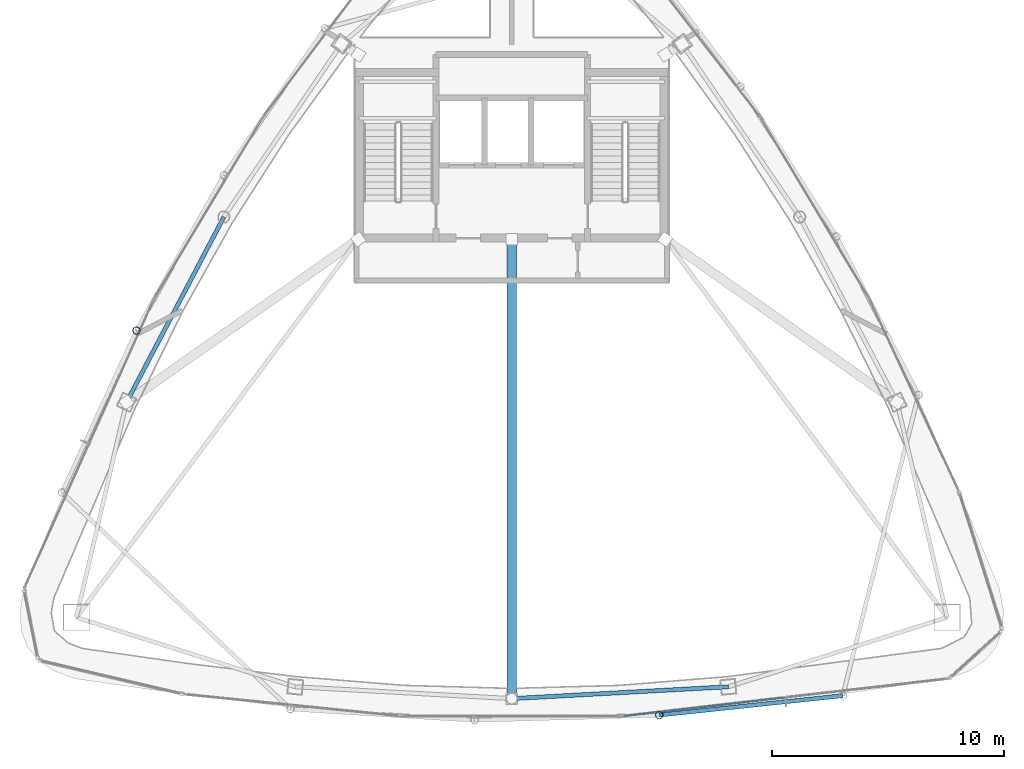
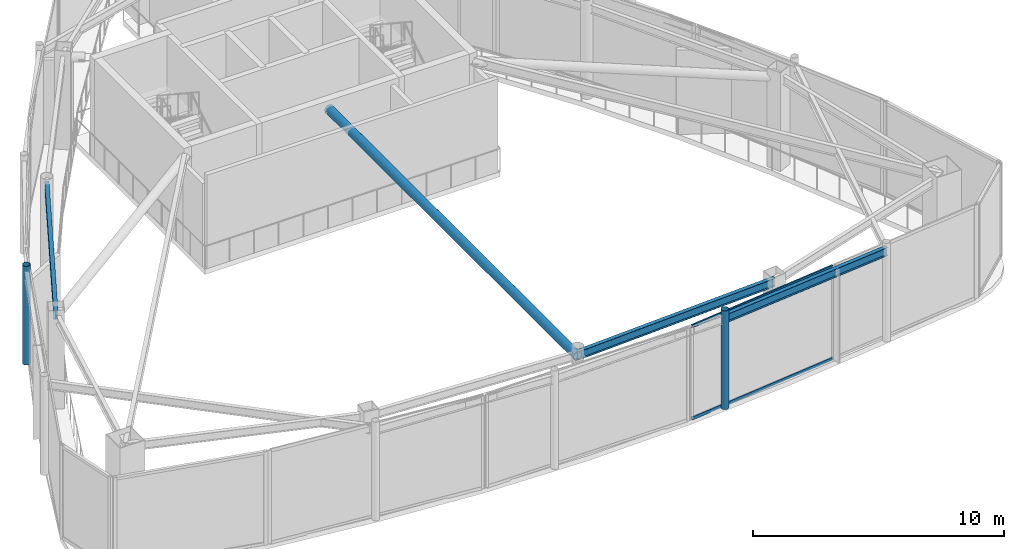
# One storey, part 7 of 20: 5 members, 3 beams, 1 element without a shape of its own.
"""IFC4 building model written with IfcOpenShell, lengths in metres."""

from ifc_helpers import new_model, si_unit, direction, frame, origin, origin_2d, place, context, subcontext, project, spatial, hollow_rectangle, hollow_circle, i_section, extrude, material, layer, layer_set, material_profile, profile_set, type_object, element, aggregate, save


model = new_model("IFC4")

# Units and contexts
model_context = context("Model", 3, precision=1e-05, world=origin(), true_north=direction((0.0, 1.0)))
body_context = subcontext(model_context, "Body", "Model", "MODEL_VIEW")
ifc_project = project(units=[si_unit("LENGTHUNIT", "METRE"), si_unit("AREAUNIT", "SQUARE_METRE"), si_unit("VOLUMEUNIT", "CUBIC_METRE"), si_unit("PLANEANGLEUNIT", "RADIAN"), si_unit("MASSUNIT", "GRAM", prefix="KILO")], contexts=[model_context])

# Site, building, storey
site_placement = place(None, origin())
site = spatial("IfcSite", under=ifc_project, at=site_placement, CompositionType="ELEMENT")
building_placement = place(site_placement, origin())
building = spatial("IfcBuilding", under=site, at=building_placement, Name="Orvanel Arch Residences", CompositionType="ELEMENT")
storey_placement = place(building_placement, frame((0.0, 0.0, 305.300048828125)))
storey = spatial("IfcBuildingStorey", under=building, at=storey_placement, Name="L85", CompositionType="ELEMENT", Elevation=305.300048828125)

# Beams
ifc_material_1 = material(Name="Structural steel AS/NZS 3679.1 Grade 300 (300 MPa)", Category="steel")
ifc_material_profile_1 = material_profile(ifc_material_1, i_section(OverallWidth=0.177978515625, OverallDepth=0.406005859375, WebThickness=0.0078125, FlangeThickness=0.0126953125, at=origin_2d()), Name="410UB59.7")
ifc_profile_set_1 = profile_set([ifc_material_profile_1], Name="Structural steel AS/NZS 3679.1 Grade 300 (300 MPa)")
beam_type_1 = type_object("IfcBeamType", Name="OB-410UB", PredefinedType="SPANDREL", material=ifc_profile_set_1)
beam_1_placement = place(storey_placement, frame((33.0, 6.843994140625, 4.346923828125), z_axis=(0.998510315598, 0.054563262768, 0.0), x_axis=(-0.054563262768, 0.998510315598, 0.0)))
element("IfcBeam", 1, at=beam_1_placement, inside=storey, type_object=beam_type_1, Name="L85 Perimeter Spandrel Beam 04", PredefinedType="SPANDREL", context=body_context, shape_type="SweptSolid", body=[
    extrude(i_section(OverallWidth=0.177978515625, OverallDepth=0.406005859375, WebThickness=0.0078125, FlangeThickness=0.0126953125, at=origin_2d()), origin(), (0.0, 0.0, 1.0), 9.364990234375),
])
beam_2_placement = place(storey_placement, frame((20.569091796875, 27.64111328125, 4.346923828125), z_axis=(-0.465064762793, -0.885276660942, 0.0), x_axis=(0.885276660942, -0.465064762793, 0.0)))
element("IfcBeam", 2, at=beam_2_placement, inside=storey, type_object=beam_type_1, Name="L85 Perimeter Spandrel Beam 12", PredefinedType="SPANDREL", context=body_context, shape_type="SweptSolid", body=[
    extrude(i_section(OverallWidth=0.177978515625, OverallDepth=0.406005859375, WebThickness=0.0078125, FlangeThickness=0.0126953125, at=origin_2d()), origin(), (0.0, 0.0, 1.0), 9.03564453125),
])
ifc_material_profile_2 = material_profile(ifc_material_1, i_section(OverallWidth=0.177978515625, OverallDepth=0.406005859375, WebThickness=0.0078125, FlangeThickness=0.0126953125, at=origin_2d()), Name="410UB59.7")
ifc_profile_set_2 = profile_set([ifc_material_profile_2], Name="Structural steel AS/NZS 3679.1 Grade 300 (300 MPa)")
beam_type_2 = type_object("IfcBeamType", Name="OB-410UB-EXT", PredefinedType="SPANDREL", material=ifc_profile_set_2)
beam_3_placement = place(storey_placement, frame((39.366943359375, 6.131103515625, 4.346923828125), z_axis=(0.994445876363, 0.1052492232, 0.0), x_axis=(-0.1052492232, 0.994445876363, 0.0)))
element("IfcBeam", 3, at=beam_3_placement, inside=storey, type_object=beam_type_2, Name="L85 Outer Perimeter Floor Ring Beam 07", PredefinedType="SPANDREL", context=body_context, shape_type="SweptSolid", body=[
    extrude(i_section(OverallWidth=0.177978515625, OverallDepth=0.406005859375, WebThickness=0.0078125, FlangeThickness=0.0126953125, at=origin_2d()), origin(), (0.0, 0.0, 1.0), 7.97021484375),
])

# Members
ifc_material_2 = material(Name="Structural steel AS/NZS 1163 C350L0 (Grade 350)", Category="steel")
ifc_material_profile_3 = material_profile(ifc_material_2, hollow_circle(Radius=0.202880859375, WallThickness=0.01611328125, at=origin_2d()), Name="CHS406x16")
ifc_profile_set_3 = profile_set([ifc_material_profile_3], Name="Structural steel AS/NZS 1163 C350L0 (Grade 350)")
member_type_1 = type_object("IfcMemberType", Name="RF-406CHS", PredefinedType="RAFTER", material=ifc_profile_set_3)
member_1_placement = place(storey_placement, frame((33.0, 26.675048828125, 4.300048828125), z_axis=(0.0, -1.0, 0.0), x_axis=(1.0, 0.0, 0.0)))
element("IfcMember", 4, at=member_1_placement, inside=storey, type_object=member_type_1, Name="L85 Winter-Garden Conservatory Gallery Rafter 05", PredefinedType="RAFTER", context=body_context, shape_type="SweptSolid", body=[
    extrude(hollow_circle(Radius=0.202880859375, WallThickness=0.01611328125, at=origin_2d()), origin(), (0.0, 0.0, 1.0), 19.8310546875),
])
ifc_material_profile_4 = material_profile(ifc_material_2, hollow_circle(Radius=0.162109375, WallThickness=0.0126953125, at=origin_2d()), Name="CHS324x12.7")
ifc_profile_set_4 = profile_set([ifc_material_profile_4], Name="Structural steel AS/NZS 1163 C350L0 (Grade 350)")
member_type_2 = type_object("IfcMemberType", Name="ST-324CHS-EXT", PredefinedType="STRUT", material=ifc_profile_set_4)
for number, where, z_axis, x_axis, name in (
    (5, (16.794921875, 22.73388671875, 0.0), (0.0, 0.0, 1.0), (1.0, 0.0, 0.0), "L85 Outer Perimeter Frame Post 03"),
    (6, (39.366943359375, 6.131103515625, 0.0), (0.0, 0.0, 1.0), (1.0, 0.0, 0.0), "L85 Outer Perimeter Frame Post 07"),
):
    element("IfcMember", number, at=place(storey_placement, frame(where, z_axis=z_axis, x_axis=x_axis)), inside=storey, type_object=member_type_2, Name=name, PredefinedType="STRUT", context=body_context, shape_type="SweptSolid", body=[
        extrude(hollow_circle(Radius=0.162109375, WallThickness=0.0126953125, at=origin_2d()), origin(), (0.0, 0.0, 1.0), 4.800048828125),
    ])

# Curtain wall, members
ifc_material_3 = material(Name="Bronze-anodised aluminium AA6063-T6", Category="aluminium")
ifc_layer = layer(ifc_material_3, 0.2099609375)
ifc_layer_set = layer_set([ifc_layer], Name="Bronze-anodised aluminium AA6063-T6")
curtain_wall_type = type_object("IfcCurtainWallType", Name="CW7-TOP-SYS", PredefinedType="NOTDEFINED", material=ifc_layer_set)
curtain_wall_placement = place(storey_placement, origin())
curtain_wall = element("IfcCurtainWall", 7, at=curtain_wall_placement, inside=storey, type_object=curtain_wall_type, Name="L85 CW7-TOP-SYS Unitised Curtain Wall", PredefinedType="NOTDEFINED")
ifc_material_profile_5 = material_profile(ifc_material_3, hollow_rectangle(XDim=0.06494140625, YDim=0.14990234375, WallThickness=0.00390625, at=origin_2d()), Name="ALU150x65x4")
ifc_profile_set_5 = profile_set([ifc_material_profile_5], Name="Bronze-anodised aluminium AA6063-T6")
member_type_3 = type_object("IfcMemberType", Name="TRN-150x65", PredefinedType="USERDEFINED", material=ifc_profile_set_5)
member_2_placement = place(storey_placement, frame((37.8154296875, 6.088623046875, 0.032470703125), z_axis=(0.993453799179, 0.114234622144, 0.0), x_axis=(-0.114234622144, 0.993453799179, 0.0)))
member_2 = element("IfcMember", 8, at=member_2_placement, type_object=member_type_3, Name="CW-S7 transom 1.1", ObjectType="TRANSOM", PredefinedType="USERDEFINED", context=body_context, shape_type="SweptSolid", body=[
    extrude(hollow_rectangle(XDim=0.06494140625, YDim=0.14990234375, WallThickness=0.00390625, at=origin_2d()), origin(), (0.0, 0.0, 1.0), 6.9951171875),
])
member_3_placement = place(storey_placement, frame((37.8154296875, 6.088623046875, 4.517333984375), z_axis=(0.993453799179, 0.114234622144, 0.0), x_axis=(-0.114234622144, 0.993453799179, 0.0)))
member_3 = element("IfcMember", 9, at=member_3_placement, type_object=member_type_3, Name="CW-S7 transom 1.2", ObjectType="TRANSOM", PredefinedType="USERDEFINED", context=body_context, shape_type="SweptSolid", body=[
    extrude(hollow_rectangle(XDim=0.06494140625, YDim=0.14990234375, WallThickness=0.00390625, at=origin_2d()), origin(), (0.0, 0.0, 1.0), 6.9951171875),
])
aggregate(curtain_wall, [member_2, member_3])

save(model, "model.ifc")
